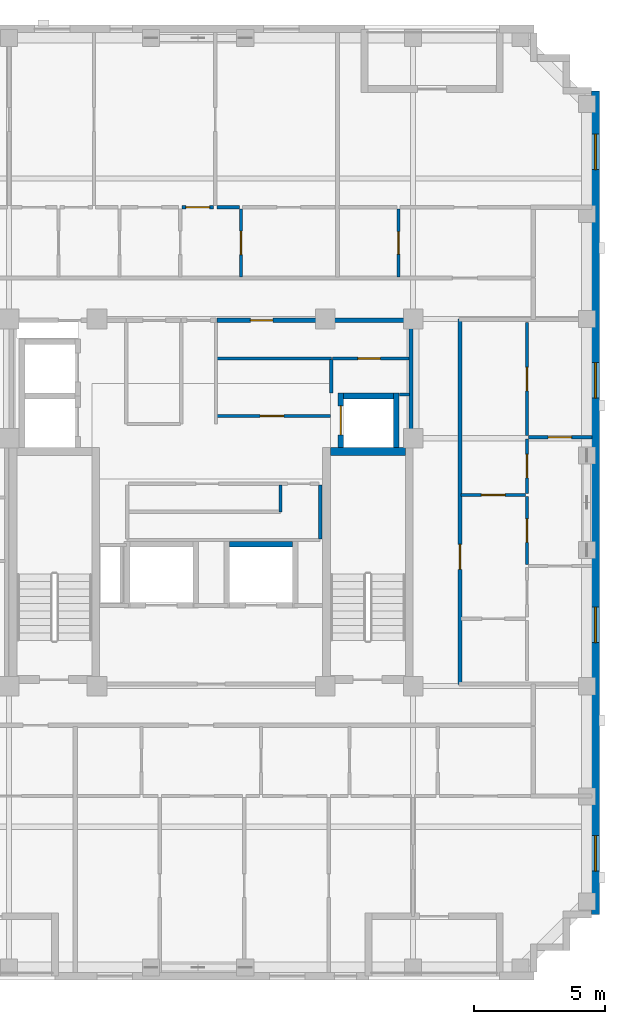
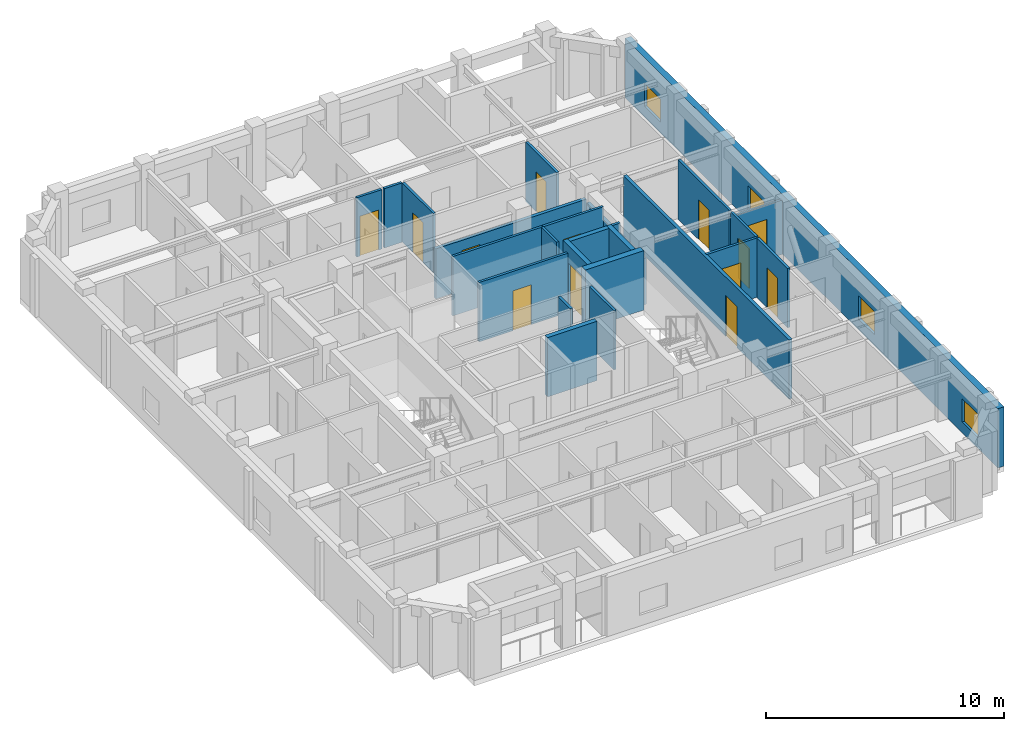
# One storey, part 6 of 11: 25 walls, 13 doors, 4 windows, 17 openings.
"""IFC4 building model written with IfcOpenShell, lengths in metres."""

from ifc_helpers import new_model, si_unit, derived_unit, direction, frame, frame_2d, origin, place, context, subcontext, project, spatial, rectangle, extrude, material, layer, layer_set, type_object, element, fill, save


model = new_model("IFC4")

# Units and contexts
model_context = context("Model", 3, precision=1e-05, world=origin(), true_north=direction((0.0, 1.0)))
body_context = subcontext(model_context, "Body", "Model", "MODEL_VIEW")
ifc_project = project(units=[si_unit("LENGTHUNIT", "METRE"), si_unit("AREAUNIT", "SQUARE_METRE"), si_unit("VOLUMEUNIT", "CUBIC_METRE"), si_unit("PLANEANGLEUNIT", "RADIAN"), si_unit("MASSUNIT", "GRAM", prefix="KILO"), derived_unit("THERMALTRANSMITTANCEUNIT", [(si_unit("MASSUNIT", "GRAM", prefix="KILO"), 1), (si_unit("TIMEUNIT", "SECOND"), -3), (si_unit("THERMODYNAMICTEMPERATUREUNIT", "KELVIN"), -1)])], contexts=[model_context])

# Site, building, storey
site_placement = place(None, origin())
site = spatial("IfcSite", under=ifc_project, at=site_placement, CompositionType="ELEMENT")
building_placement = place(site_placement, origin())
building = spatial("IfcBuilding", under=site, at=building_placement, Name="Korrvale Station Residences", CompositionType="ELEMENT")
storey_placement = place(building_placement, frame((0.0, 0.0, 258.10009765625)))
storey = spatial("IfcBuildingStorey", under=building, at=storey_placement, Name="L75", CompositionType="ELEMENT", Elevation=258.10009765625)

# Wall
ifc_material_1 = material(Name="Concrete C50/60", Category="concrete")
ifc_layer_1 = layer(ifc_material_1, 0.300048828125, Name="Concrete C50/60")
ifc_layer_set_1 = layer_set([ifc_layer_1], Name="Concrete C50/60")
wall_type_1 = type_object("IfcWallType", Name="WAL-CORE-300-C50", PredefinedType="SHEAR", material=ifc_layer_set_1)
wall_1_placement = place(storey_placement, frame((30.050048828125, 23.949951171875, 0.0), z_axis=(0.0, 0.0, 1.0), x_axis=(1.0, 0.0, 0.0)))
element("IfcWall", 1, at=wall_1_placement, inside=storey, type_object=wall_type_1, Name="L75 ST-2 Core Shear Wall North", PredefinedType="SHEAR", context=body_context, shape_type="SweptSolid", body=[
    extrude(rectangle(XDim=2.849853515625, YDim=0.300048828125, at=frame_2d((1.4248046875, 0.0))), origin(), (0.0, 0.0, 1.0), 3.0498046875),
])

# Wall, openings, windows
ifc_material_2 = material(Name="Precast concrete C45/55", Category="concrete")
ifc_layer_2 = layer(ifc_material_2, 0.300048828125, Name="Precast concrete C45/55")
ifc_layer_set_2 = layer_set([ifc_layer_2], Name="Precast concrete C45/55")
wall_type_2 = type_object("IfcWallType", Name="WAL-EXT-PC300", PredefinedType="SOLIDWALL", material=ifc_layer_set_2)
wall_2_placement = place(storey_placement, frame((40.14990234375, 37.699951171875, 0.0), z_axis=(0.0, 0.0, 1.0), x_axis=(0.0, -1.0, 0.0)))
wall_2 = element("IfcWall", 2, at=wall_2_placement, inside=storey, type_object=wall_type_2, Name="L75 East Exterior Precast Wall 1", PredefinedType="SOLIDWALL", context=body_context, shape_type="SweptSolid", body=[
    extrude(rectangle(XDim=31.39990234375, YDim=0.300048828125, at=frame_2d((15.699951171875, 0.0))), origin(), (0.0, 0.0, 1.0), 3.0498046875),
])
opening_1_placement = place(wall_2_placement, frame((28.39599609375, 0.0, 0.550048828125)))
opening_1 = element("IfcOpeningElement", 3, at=opening_1_placement, cuts=wall_2, Name="Opening W-10", PredefinedType="OPENING", context=body_context, shape_type="SweptSolid", body=[
    extrude(rectangle(XDim=1.35009765625, YDim=1.199951171875, at=frame_2d((0.675048828125, 0.60009765625))), frame((0.0, 0.16015625, 0.0), z_axis=(0.0, -1.0, 0.0), x_axis=(1.0, 0.0, 0.0)), (0.0, 0.0, 1.0), 0.320068359375),
])
opening_2_placement = place(wall_2_placement, frame((1.653076171875, 0.0, 0.550048828125)))
opening_2 = element("IfcOpeningElement", 4, at=opening_2_placement, cuts=wall_2, Name="Opening W-10", PredefinedType="OPENING", context=body_context, shape_type="SweptSolid", body=[
    extrude(rectangle(XDim=1.35009765625, YDim=1.199951171875, at=frame_2d((0.675048828125, 0.60009765625))), frame((0.0, 0.16015625, 0.0), z_axis=(0.0, -1.0, 0.0), x_axis=(1.0, 0.0, 0.0)), (0.0, 0.0, 1.0), 0.320068359375),
])
opening_3_placement = place(wall_2_placement, frame((19.68310546875, 0.0, 0.550048828125)))
opening_3 = element("IfcOpeningElement", 5, at=opening_3_placement, cuts=wall_2, Name="Opening W-10", PredefinedType="OPENING", context=body_context, shape_type="SweptSolid", body=[
    extrude(rectangle(XDim=1.35009765625, YDim=1.199951171875, at=frame_2d((0.675048828125, 0.60009765625))), frame((0.0, 0.16015625, 0.0), z_axis=(0.0, -1.0, 0.0), x_axis=(1.0, 0.0, 0.0)), (0.0, 0.0, 1.0), 0.320068359375),
])
opening_4_placement = place(wall_2_placement, frame((10.366943359375, 0.0, 0.550048828125)))
opening_4 = element("IfcOpeningElement", 6, at=opening_4_placement, cuts=wall_2, Name="Opening W-10", PredefinedType="OPENING", context=body_context, shape_type="SweptSolid", body=[
    extrude(rectangle(XDim=1.35009765625, YDim=1.199951171875, at=frame_2d((0.675048828125, 0.60009765625))), frame((0.0, 0.16015625, 0.0), z_axis=(0.0, -1.0, 0.0), x_axis=(1.0, 0.0, 0.0)), (0.0, 0.0, 1.0), 0.320068359375),
])
ifc_material_3 = material(Name="Thermally broken aluminium frame with triple low-e glazing", Category="aluminium")
window_type = type_object("IfcWindowType", Name="WIN-W10", PartitioningType="SINGLE_PANEL", PredefinedType="WINDOW", material=ifc_material_3)
window_1_placement = place(opening_1_placement, origin())
window_1 = element("IfcWindow", 7, at=window_1_placement, inside=storey, type_object=window_type, Name="L75 Punched Window 05", OverallHeight=1.199951171875, OverallWidth=1.35009765625, PartitioningType="SINGLE_PANEL", PredefinedType="WINDOW", context=body_context, shape_type="SweptSolid", body=[
    extrude(rectangle(XDim=1.35009765625, YDim=1.199951171875, at=frame_2d((0.675048828125, 0.60009765625))), frame((0.0, 0.030029296875, 0.0), z_axis=(0.0, -1.0, 0.0), x_axis=(1.0, 0.0, 0.0)), (0.0, 0.0, 1.0), 0.06005859375),
])
fill(opening_1, window_1)
window_2_placement = place(opening_2_placement, origin())
window_2 = element("IfcWindow", 8, at=window_2_placement, inside=storey, type_object=window_type, Name="L75 Punched Window 10", OverallHeight=1.199951171875, OverallWidth=1.35009765625, PartitioningType="SINGLE_PANEL", PredefinedType="WINDOW", context=body_context, shape_type="SweptSolid", body=[
    extrude(rectangle(XDim=1.35009765625, YDim=1.199951171875, at=frame_2d((0.675048828125, 0.60009765625))), frame((0.0, 0.030029296875, 0.0), z_axis=(0.0, -1.0, 0.0), x_axis=(1.0, 0.0, 0.0)), (0.0, 0.0, 1.0), 0.06005859375),
])
fill(opening_2, window_2)
window_3_placement = place(opening_3_placement, origin())
window_3 = element("IfcWindow", 9, at=window_3_placement, inside=storey, type_object=window_type, Name="L75 Punched Window 13", OverallHeight=1.199951171875, OverallWidth=1.35009765625, PartitioningType="SINGLE_PANEL", PredefinedType="WINDOW", context=body_context, shape_type="SweptSolid", body=[
    extrude(rectangle(XDim=1.35009765625, YDim=1.199951171875, at=frame_2d((0.675048828125, 0.60009765625))), frame((0.0, 0.030029296875, 0.0), z_axis=(0.0, -1.0, 0.0), x_axis=(1.0, 0.0, 0.0)), (0.0, 0.0, 1.0), 0.06005859375),
])
fill(opening_3, window_3)
window_4_placement = place(opening_4_placement, origin())
window_4 = element("IfcWindow", 10, at=window_4_placement, inside=storey, type_object=window_type, Name="L75 Punched Window 14", OverallHeight=1.199951171875, OverallWidth=1.35009765625, PartitioningType="SINGLE_PANEL", PredefinedType="WINDOW", context=body_context, shape_type="SweptSolid", body=[
    extrude(rectangle(XDim=1.35009765625, YDim=1.199951171875, at=frame_2d((0.675048828125, 0.60009765625))), frame((0.0, 0.030029296875, 0.0), z_axis=(0.0, -1.0, 0.0), x_axis=(1.0, 0.0, 0.0)), (0.0, 0.0, 1.0), 0.06005859375),
])
fill(opening_4, window_4)

# Walls
ifc_material_4 = material(Name="Acoustic steel-stud gypsum board partition", Category="steel")
ifc_layer_3 = layer(ifc_material_4, 0.1201171875, Name="Acoustic steel-stud gypsum board partition")
ifc_layer_set_3 = layer_set([ifc_layer_3], Name="Acoustic steel-stud gypsum board partition")
wall_type_3 = type_object("IfcWallType", Name="WAL-PART-125", PredefinedType="PARTITIONING", material=ifc_layer_set_3)
wall_3_placement = place(storey_placement, frame((30.080078125, 26.179931640625, 0.0), z_axis=(0.0, 0.0, 1.0), x_axis=(0.0, 1.0, 0.0)))
element("IfcWall", 11, at=wall_3_placement, inside=storey, type_object=wall_type_3, Name="L75 Core Partition CW-CS-W", PredefinedType="PARTITIONING", context=body_context, shape_type="SweptSolid", body=[
    extrude(rectangle(XDim=1.280029296875, YDim=0.1201171875, at=frame_2d((0.64013671875, 0.0))), origin(), (0.0, 0.0, 1.0), 3.0498046875),
])
wall_4_placement = place(storey_placement, frame((32.679931640625, 26.1201171875, 0.0), z_axis=(0.0, 0.0, 1.0), x_axis=(1.0, 0.0, 0.0)))
element("IfcWall", 12, at=wall_4_placement, inside=storey, type_object=wall_type_3, Name="L75 Core Partition CW-CS-S", PredefinedType="PARTITIONING", context=body_context, shape_type="SweptSolid", body=[
    extrude(rectangle(XDim=0.380126953125, YDim=0.1201171875, at=frame_2d((0.18994140625, 0.0))), origin(), (0.0, 0.0, 1.0), 3.0498046875),
])

# Wall, opening, door
wall_5_placement = place(storey_placement, frame((30.1201171875, 27.5, 0.0), z_axis=(0.0, 0.0, 1.0), x_axis=(1.0, 0.0, 0.0)))
wall_5 = element("IfcWall", 13, at=wall_5_placement, inside=storey, type_object=wall_type_3, Name="L75 Core Partition CW-CS-H", PredefinedType="PARTITIONING", context=body_context, shape_type="SweptSolid", body=[
    extrude(rectangle(XDim=2.919921875, YDim=0.1201171875, at=frame_2d((1.4599609375, 0.0))), origin(), (0.0, 0.0, 1.0), 3.0498046875),
])
opening_5_placement = place(wall_5_placement, frame((0.969970703125, 0.0, 0.0)))
opening_5 = element("IfcOpeningElement", 14, at=opening_5_placement, cuts=wall_5, Name="Opening DB-860", PredefinedType="OPENING", context=body_context, shape_type="SweptSolid", body=[
    extrude(rectangle(XDim=0.860107421875, YDim=2.050048828125, at=frame_2d((0.43017578125, 1.02490234375))), frame((0.0, 0.070068359375, 0.0), z_axis=(0.0, -1.0, 0.0), x_axis=(1.0, 0.0, 0.0)), (0.0, 0.0, 1.0), 0.14013671875),
])
ifc_material_5 = material(Name="Moisture-resistant solid-core bathroom door", Category="timber")
door_type_1 = type_object("IfcDoorType", Name="DR-BATH-860", OperationType="NOTDEFINED", PredefinedType="DOOR", material=ifc_material_5)
door_1_placement = place(opening_5_placement, origin())
door_1 = element("IfcDoor", 15, at=door_1_placement, inside=storey, type_object=door_type_1, Name="L75 Mail Sorting Inner Door", OperationType="SINGLE_SWING_RIGHT", OverallHeight=2.050048828125, OverallWidth=0.860107421875, PredefinedType="DOOR", context=body_context, shape_type="SweptSolid", body=[
    extrude(rectangle(XDim=0.860107421875, YDim=2.050048828125, at=frame_2d((0.43017578125, 1.02490234375))), frame((0.0, 0.02490234375, 0.0), z_axis=(0.0, -1.0, 0.0), x_axis=(1.0, 0.0, 0.0)), (0.0, 0.0, 1.0), 0.050048828125),
])
fill(opening_5, door_1)

# Wall
wall_6_placement = place(storey_placement, frame((25.719970703125, 27.5, 0.0), z_axis=(0.0, 0.0, 1.0), x_axis=(1.0, 0.0, 0.0)))
element("IfcWall", 16, at=wall_6_placement, inside=storey, type_object=wall_type_3, Name="L75 Core Partition CW-FPLE-H", PredefinedType="PARTITIONING", context=body_context, shape_type="SweptSolid", body=[
    extrude(rectangle(XDim=4.360107421875, YDim=0.1201171875, at=frame_2d((2.18017578125, 0.0))), origin(), (0.0, 0.0, 1.0), 3.0498046875),
])

# Wall, opening, door
wall_7_placement = place(storey_placement, frame((25.719970703125, 25.300048828125, 0.0), z_axis=(0.0, 0.0, 1.0), x_axis=(1.0, 0.0, 0.0)))
wall_7 = element("IfcWall", 17, at=wall_7_placement, inside=storey, type_object=wall_type_3, Name="L75 Core Partition CW-FPLE-S", PredefinedType="PARTITIONING", context=body_context, shape_type="SweptSolid", body=[
    extrude(rectangle(XDim=4.320068359375, YDim=0.1201171875, at=frame_2d((2.16015625, 0.0))), origin(), (0.0, 0.0, 1.0), 3.0498046875),
])
opening_6_placement = place(wall_7_placement, frame((1.64990234375, 0.0, 0.0)))
opening_6 = element("IfcOpeningElement", 18, at=opening_6_placement, cuts=wall_7, Name="Opening DI-900", PredefinedType="OPENING", context=body_context, shape_type="SweptSolid", body=[
    extrude(rectangle(XDim=0.89990234375, YDim=2.050048828125, at=frame_2d((0.449951171875, 1.02490234375))), frame((0.0, 0.070068359375, 0.0), z_axis=(0.0, -1.0, 0.0), x_axis=(1.0, 0.0, 0.0)), (0.0, 0.0, 1.0), 0.14013671875),
])
ifc_material_6 = material(Name="Painted solid-core timber interior room door", Category="wood")
door_type_2 = type_object("IfcDoorType", Name="DR-INT-900", OperationType="NOTDEFINED", PredefinedType="DOOR", material=ifc_material_6)
door_2_placement = place(opening_6_placement, origin())
door_2 = element("IfcDoor", 19, at=door_2_placement, inside=storey, type_object=door_type_2, Name="L75 Housekeeping Linen Door", OperationType="SINGLE_SWING_RIGHT", OverallHeight=2.050048828125, OverallWidth=0.89990234375, PredefinedType="DOOR", context=body_context, shape_type="SweptSolid", body=[
    extrude(rectangle(XDim=0.89990234375, YDim=2.050048828125, at=frame_2d((0.449951171875, 1.02490234375))), frame((0.0, 0.02490234375, 0.0), z_axis=(0.0, -1.0, 0.0), x_axis=(1.0, 0.0, 0.0)), (0.0, 0.0, 1.0), 0.050048828125),
])
fill(opening_6, door_2)

# Walls
wall_8_placement = place(storey_placement, frame((29.659912109375, 20.6201171875, 0.0), z_axis=(0.0, 0.0, 1.0), x_axis=(0.0, 1.0, 0.0)))
element("IfcWall", 20, at=wall_8_placement, inside=storey, type_object=wall_type_3, Name="L75 Core Partition CW-FPM-E", PredefinedType="PARTITIONING", context=body_context, shape_type="SweptSolid", body=[
    extrude(rectangle(XDim=2.059814453125, YDim=0.1201171875, at=frame_2d((1.02978515625, 0.0))), origin(), (0.0, 0.0, 1.0), 3.0498046875),
])
wall_9_placement = place(storey_placement, frame((28.139892578125, 21.64990234375, 0.0), z_axis=(0.0, 0.0, 1.0), x_axis=(0.0, 1.0, 0.0)))
element("IfcWall", 21, at=wall_9_placement, inside=storey, type_object=wall_type_3, Name="L75 Core Partition CW-FPM-V1", PredefinedType="PARTITIONING", context=body_context, shape_type="SweptSolid", body=[
    extrude(rectangle(XDim=1.030029296875, YDim=0.1201171875, at=frame_2d((0.51513671875, 0.0))), origin(), (0.0, 0.0, 1.0), 3.0498046875),
])

# Wall, opening, door
wall_10_placement = place(storey_placement, frame((26.639892578125, 30.60009765625, 0.0), z_axis=(0.0, 0.0, 1.0), x_axis=(0.0, 1.0, 0.0)))
wall_10 = element("IfcWall", 22, at=wall_10_placement, inside=storey, type_object=wall_type_3, Name="L75 Suite Partition U03-V45", PredefinedType="PARTITIONING", context=body_context, shape_type="SweptSolid", body=[
    extrude(rectangle(XDim=2.599853515625, YDim=0.1201171875, at=frame_2d((1.2998046875, 0.0))), origin(), (0.0, 0.0, 1.0), 3.0498046875),
])
opening_7_placement = place(wall_10_placement, frame((0.85009765625, 0.0, 0.0)))
opening_7 = element("IfcOpeningElement", 23, at=opening_7_placement, cuts=wall_10, Name="Opening DI-900", PredefinedType="OPENING", context=body_context, shape_type="SweptSolid", body=[
    extrude(rectangle(XDim=0.89990234375, YDim=2.050048828125, at=frame_2d((0.449951171875, 1.02490234375))), frame((0.0, 0.070068359375, 0.0), z_axis=(0.0, -1.0, 0.0), x_axis=(1.0, 0.0, 0.0)), (0.0, 0.0, 1.0), 0.14013671875),
])
door_3_placement = place(opening_7_placement, origin())
door_3 = element("IfcDoor", 24, at=door_3_placement, inside=storey, type_object=door_type_2, Name="L75 Apartment 2BR L75-U03 Wardrobe Storage Room Door", OperationType="SINGLE_SWING_RIGHT", OverallHeight=2.050048828125, OverallWidth=0.89990234375, PredefinedType="DOOR", context=body_context, shape_type="SweptSolid", body=[
    extrude(rectangle(XDim=0.89990234375, YDim=2.050048828125, at=frame_2d((0.449951171875, 1.02490234375))), frame((0.0, 0.02490234375, 0.0), z_axis=(0.0, -1.0, 0.0), x_axis=(1.0, 0.0, 0.0)), (0.0, 0.0, 1.0), 0.050048828125),
])
fill(opening_7, door_3)

wall_11_placement = place(storey_placement, frame((24.3798828125, 33.260009765625, 0.0), z_axis=(0.0, 0.0, 1.0), x_axis=(1.0, 0.0, 0.0)))
wall_11 = element("IfcWall", 25, at=wall_11_placement, inside=storey, type_object=wall_type_3, Name="L75 Suite Partition U03-H48", PredefinedType="PARTITIONING", context=body_context, shape_type="SweptSolid", body=[
    extrude(rectangle(XDim=1.217041015625, YDim=0.1201171875, at=frame_2d((0.6083984375, 0.0))), origin(), (0.0, 0.0, 1.0), 3.0498046875),
])
opening_8_placement = place(wall_11_placement, frame((0.157958984375, 0.0, 0.0)))
opening_8 = element("IfcOpeningElement", 26, at=opening_8_placement, cuts=wall_11, Name="Opening DI-900", PredefinedType="OPENING", context=body_context, shape_type="SweptSolid", body=[
    extrude(rectangle(XDim=0.89990234375, YDim=2.050048828125, at=frame_2d((0.449951171875, 1.02490234375))), frame((0.0, 0.070068359375, 0.0), z_axis=(0.0, -1.0, 0.0), x_axis=(1.0, 0.0, 0.0)), (0.0, 0.0, 1.0), 0.14013671875),
])
door_4_placement = place(opening_8_placement, origin())
door_4 = element("IfcDoor", 27, at=door_4_placement, inside=storey, type_object=door_type_2, Name="L75 Apartment 2BR L75-U03 Wardrobe Storage Room Door", OperationType="SINGLE_SWING_LEFT", OverallHeight=2.050048828125, OverallWidth=0.89990234375, PredefinedType="DOOR", context=body_context, shape_type="SweptSolid", body=[
    extrude(rectangle(XDim=0.89990234375, YDim=2.050048828125, at=frame_2d((0.449951171875, 1.02490234375))), frame((0.0, 0.02490234375, 0.0), z_axis=(0.0, -1.0, 0.0), x_axis=(1.0, 0.0, 0.0)), (0.0, 0.0, 1.0), 0.050048828125),
])
fill(opening_8, door_4)

# Wall
wall_12_placement = place(storey_placement, frame((25.717041015625, 33.260009765625, 0.0), z_axis=(0.0, 0.0, 1.0), x_axis=(1.0, 0.0, 0.0)))
element("IfcWall", 28, at=wall_12_placement, inside=storey, type_object=wall_type_3, Name="L75 Suite Partition U03-H49", PredefinedType="PARTITIONING", context=body_context, shape_type="SweptSolid", body=[
    extrude(rectangle(XDim=0.863037109375, YDim=0.1201171875, at=frame_2d((0.431640625, 0.0))), origin(), (0.0, 0.0, 1.0), 3.0498046875),
])

# Wall, opening, door
wall_13_placement = place(storey_placement, frame((32.639892578125, 30.60009765625, 0.0), z_axis=(0.0, 0.0, 1.0), x_axis=(0.0, 1.0, 0.0)))
wall_13 = element("IfcWall", 29, at=wall_13_placement, inside=storey, type_object=wall_type_3, Name="L75 Suite Partition U04-V01", PredefinedType="PARTITIONING", context=body_context, shape_type="SweptSolid", body=[
    extrude(rectangle(XDim=2.599853515625, YDim=0.1201171875, at=frame_2d((1.2998046875, 0.0))), origin(), (0.0, 0.0, 1.0), 3.0498046875),
])
opening_9_placement = place(wall_13_placement, frame((0.8701171875, 0.0, 0.0)))
opening_9 = element("IfcOpeningElement", 30, at=opening_9_placement, cuts=wall_13, Name="Opening DB-860", PredefinedType="OPENING", context=body_context, shape_type="SweptSolid", body=[
    extrude(rectangle(XDim=0.860107421875, YDim=2.050048828125, at=frame_2d((0.43017578125, 1.02490234375))), frame((0.0, 0.070068359375, 0.0), z_axis=(0.0, -1.0, 0.0), x_axis=(1.0, 0.0, 0.0)), (0.0, 0.0, 1.0), 0.14013671875),
])
door_5_placement = place(opening_9_placement, origin())
door_5 = element("IfcDoor", 31, at=door_5_placement, inside=storey, type_object=door_type_1, Name="L75 Studio Apartment L75-U04 Bathroom Door", OperationType="SINGLE_SWING_RIGHT", OverallHeight=2.050048828125, OverallWidth=0.860107421875, PredefinedType="DOOR", context=body_context, shape_type="SweptSolid", body=[
    extrude(rectangle(XDim=0.860107421875, YDim=2.050048828125, at=frame_2d((0.43017578125, 1.02490234375))), frame((0.0, 0.02490234375, 0.0), z_axis=(0.0, -1.0, 0.0), x_axis=(1.0, 0.0, 0.0)), (0.0, 0.0, 1.0), 0.050048828125),
])
fill(opening_9, door_5)

wall_14_placement = place(storey_placement, frame((35.030029296875, 22.2900390625, 0.0), z_axis=(0.0, 0.0, 1.0), x_axis=(1.0, 0.0, 0.0)))
wall_14 = element("IfcWall", 32, at=wall_14_placement, inside=storey, type_object=wall_type_3, Name="L75 Suite Partition U06-H02", PredefinedType="PARTITIONING", context=body_context, shape_type="SweptSolid", body=[
    extrude(rectangle(XDim=2.449951171875, YDim=0.1201171875, at=frame_2d((1.22509765625, 0.0))), origin(), (0.0, 0.0, 1.0), 3.0498046875),
])
opening_10_placement = place(wall_14_placement, frame((0.77490234375, 0.0, 0.0)))
opening_10 = element("IfcOpeningElement", 33, at=opening_10_placement, cuts=wall_14, Name="Opening DI-900", PredefinedType="OPENING", context=body_context, shape_type="SweptSolid", body=[
    extrude(rectangle(XDim=0.89990234375, YDim=2.050048828125, at=frame_2d((0.449951171875, 1.02490234375))), frame((0.0, 0.070068359375, 0.0), z_axis=(0.0, -1.0, 0.0), x_axis=(1.0, 0.0, 0.0)), (0.0, 0.0, 1.0), 0.14013671875),
])
door_6_placement = place(opening_10_placement, origin())
door_6 = element("IfcDoor", 34, at=door_6_placement, inside=storey, type_object=door_type_2, Name="L75 Apartment 2BR L75-U06 Wardrobe Storage Room Door", OperationType="SINGLE_SWING_LEFT", OverallHeight=2.050048828125, OverallWidth=0.89990234375, PredefinedType="DOOR", context=body_context, shape_type="SweptSolid", body=[
    extrude(rectangle(XDim=0.89990234375, YDim=2.050048828125, at=frame_2d((0.449951171875, 1.02490234375))), frame((0.0, 0.02490234375, 0.0), z_axis=(0.0, -1.0, 0.0), x_axis=(1.0, 0.0, 0.0)), (0.0, 0.0, 1.0), 0.050048828125),
])
fill(opening_10, door_6)

wall_15_placement = place(storey_placement, frame((37.5400390625, 22.35009765625, 0.0), z_axis=(0.0, 0.0, 1.0), x_axis=(0.0, 1.0, 0.0)))
wall_15 = element("IfcWall", 35, at=wall_15_placement, inside=storey, type_object=wall_type_3, Name="L75 Suite Partition U06-V04", PredefinedType="PARTITIONING", context=body_context, shape_type="SweptSolid", body=[
    extrude(rectangle(XDim=2.081787109375, YDim=0.1201171875, at=frame_2d((1.041015625, 0.0))), origin(), (0.0, 0.0, 1.0), 3.0498046875),
])
opening_11_placement = place(wall_15_placement, frame((0.591064453125, 0.0, 0.0)))
opening_11 = element("IfcOpeningElement", 36, at=opening_11_placement, cuts=wall_15, Name="Opening DI-900", PredefinedType="OPENING", context=body_context, shape_type="SweptSolid", body=[
    extrude(rectangle(XDim=0.89990234375, YDim=2.050048828125, at=frame_2d((0.449951171875, 1.02490234375))), frame((0.0, 0.070068359375, 0.0), z_axis=(0.0, -1.0, 0.0), x_axis=(1.0, 0.0, 0.0)), (0.0, 0.0, 1.0), 0.14013671875),
])
door_7_placement = place(opening_11_placement, origin())
door_7 = element("IfcDoor", 37, at=door_7_placement, inside=storey, type_object=door_type_2, Name="L75 Apartment 2BR L75-U06 Wardrobe Storage Room Door", OperationType="SINGLE_SWING_RIGHT", OverallHeight=2.050048828125, OverallWidth=0.89990234375, PredefinedType="DOOR", context=body_context, shape_type="SweptSolid", body=[
    extrude(rectangle(XDim=0.89990234375, YDim=2.050048828125, at=frame_2d((0.449951171875, 1.02490234375))), frame((0.0, 0.02490234375, 0.0), z_axis=(0.0, -1.0, 0.0), x_axis=(1.0, 0.0, 0.0)), (0.0, 0.0, 1.0), 0.050048828125),
])
fill(opening_11, door_7)

wall_16_placement = place(storey_placement, frame((37.5400390625, 24.552001953125, 0.0), z_axis=(0.0, 0.0, 1.0), x_axis=(0.0, 1.0, 0.0)))
wall_16 = element("IfcWall", 38, at=wall_16_placement, inside=storey, type_object=wall_type_3, Name="L75 Suite Partition U06-V05", PredefinedType="PARTITIONING", context=body_context, shape_type="SweptSolid", body=[
    extrude(rectangle(XDim=4.30810546875, YDim=0.1201171875, at=frame_2d((2.154052734375, 0.0))), origin(), (0.0, 0.0, 1.0), 3.0498046875),
])
opening_12_placement = place(wall_16_placement, frame((1.7041015625, 0.0, 0.0)))
opening_12 = element("IfcOpeningElement", 39, at=opening_12_placement, cuts=wall_16, Name="Opening DI-900", PredefinedType="OPENING", context=body_context, shape_type="SweptSolid", body=[
    extrude(rectangle(XDim=0.89990234375, YDim=2.050048828125, at=frame_2d((0.449951171875, 1.02490234375))), frame((0.0, 0.070068359375, 0.0), z_axis=(0.0, -1.0, 0.0), x_axis=(1.0, 0.0, 0.0)), (0.0, 0.0, 1.0), 0.14013671875),
])
door_8_placement = place(opening_12_placement, origin())
door_8 = element("IfcDoor", 40, at=door_8_placement, inside=storey, type_object=door_type_2, Name="L75 Apartment 2BR L75-U06 Wardrobe Storage Room Door", OperationType="SINGLE_SWING_LEFT", OverallHeight=2.050048828125, OverallWidth=0.89990234375, PredefinedType="DOOR", context=body_context, shape_type="SweptSolid", body=[
    extrude(rectangle(XDim=0.89990234375, YDim=2.050048828125, at=frame_2d((0.449951171875, 1.02490234375))), frame((0.0, 0.02490234375, 0.0), z_axis=(0.0, -1.0, 0.0), x_axis=(1.0, 0.0, 0.0)), (0.0, 0.0, 1.0), 0.050048828125),
])
fill(opening_12, door_8)

wall_17_placement = place(storey_placement, frame((37.5400390625, 19.637939453125, 0.0), z_axis=(0.0, 0.0, 1.0), x_axis=(0.0, 1.0, 0.0)))
wall_17 = element("IfcWall", 41, at=wall_17_placement, inside=storey, type_object=wall_type_3, Name="L75 Suite Partition U06-V24", PredefinedType="PARTITIONING", context=body_context, shape_type="SweptSolid", body=[
    extrude(rectangle(XDim=2.592041015625, YDim=0.1201171875, at=frame_2d((1.2958984375, 0.0))), origin(), (0.0, 0.0, 1.0), 3.0498046875),
])
opening_13_placement = place(wall_17_placement, frame((0.845947265625, 0.0, 0.0)))
opening_13 = element("IfcOpeningElement", 42, at=opening_13_placement, cuts=wall_17, Name="Opening DI-900", PredefinedType="OPENING", context=body_context, shape_type="SweptSolid", body=[
    extrude(rectangle(XDim=0.89990234375, YDim=2.050048828125, at=frame_2d((0.449951171875, 1.02490234375))), frame((0.0, 0.070068359375, 0.0), z_axis=(0.0, -1.0, 0.0), x_axis=(1.0, 0.0, 0.0)), (0.0, 0.0, 1.0), 0.14013671875),
])
door_9_placement = place(opening_13_placement, origin())
door_9 = element("IfcDoor", 43, at=door_9_placement, inside=storey, type_object=door_type_2, Name="L75 Apartment 2BR L75-U06 Kitchen Door", OperationType="SINGLE_SWING_RIGHT", OverallHeight=2.050048828125, OverallWidth=0.89990234375, PredefinedType="DOOR", context=body_context, shape_type="SweptSolid", body=[
    extrude(rectangle(XDim=0.89990234375, YDim=2.050048828125, at=frame_2d((0.449951171875, 1.02490234375))), frame((0.0, 0.02490234375, 0.0), z_axis=(0.0, -1.0, 0.0), x_axis=(1.0, 0.0, 0.0)), (0.0, 0.0, 1.0), 0.050048828125),
])
fill(opening_13, door_9)

wall_18_placement = place(storey_placement, frame((37.60009765625, 24.491943359375, 0.0), z_axis=(0.0, 0.0, 1.0), x_axis=(1.0, 0.0, 0.0)))
wall_18 = element("IfcWall", 44, at=wall_18_placement, inside=storey, type_object=wall_type_3, Name="L75 Suite Partition U06-H45", PredefinedType="PARTITIONING", context=body_context, shape_type="SweptSolid", body=[
    extrude(rectangle(XDim=2.419921875, YDim=0.1201171875, at=frame_2d((1.2099609375, 0.0))), origin(), (0.0, 0.0, 1.0), 2.787841796875),
])
opening_14_placement = place(wall_18_placement, frame((0.7451171875, 0.0, 0.0)))
opening_14 = element("IfcOpeningElement", 45, at=opening_14_placement, cuts=wall_18, Name="Opening DI-900", PredefinedType="OPENING", context=body_context, shape_type="SweptSolid", body=[
    extrude(rectangle(XDim=0.89990234375, YDim=2.050048828125, at=frame_2d((0.449951171875, 1.02490234375))), frame((0.0, 0.070068359375, 0.0), z_axis=(0.0, -1.0, 0.0), x_axis=(1.0, 0.0, 0.0)), (0.0, 0.0, 1.0), 0.14013671875),
])
door_10_placement = place(opening_14_placement, origin())
door_10 = element("IfcDoor", 46, at=door_10_placement, inside=storey, type_object=door_type_2, Name="L75 Apartment 2BR L75-U06 Living and Dining Room Door", OperationType="SINGLE_SWING_RIGHT", OverallHeight=2.050048828125, OverallWidth=0.89990234375, PredefinedType="DOOR", context=body_context, shape_type="SweptSolid", body=[
    extrude(rectangle(XDim=0.89990234375, YDim=2.050048828125, at=frame_2d((0.449951171875, 1.02490234375))), frame((0.0, 0.02490234375, 0.0), z_axis=(0.0, -1.0, 0.0), x_axis=(1.0, 0.0, 0.0)), (0.0, 0.0, 1.0), 0.050048828125),
])
fill(opening_14, door_10)

# Wall
ifc_material_7 = material(Name="Fire-rated twin-stud gypsum and mineral wool shaftwall assembly", Category="gypsum")
ifc_layer_4 = layer(ifc_material_7, 0.159912109375, Name="Fire-rated twin-stud gypsum and mineral wool shaftwall assembly")
ifc_layer_set_4 = layer_set([ifc_layer_4], Name="Fire-rated twin-stud gypsum and mineral wool shaftwall assembly")
wall_type_4 = type_object("IfcWallType", Name="WAL-PART-200", PredefinedType="PARTITIONING", material=ifc_layer_set_4)
wall_19_placement = place(storey_placement, frame((33.1201171875, 24.1201171875, 0.0), z_axis=(0.0, 0.0, 1.0), x_axis=(0.0, 1.0, 0.0)))
element("IfcWall", 47, at=wall_19_placement, inside=storey, type_object=wall_type_4, Name="L75 Core Partition CW-E-N", PredefinedType="PARTITIONING", context=body_context, shape_type="SweptSolid", body=[
    extrude(rectangle(XDim=4.759765625, YDim=0.159912109375, at=frame_2d((2.3798828125, 0.0))), origin(), (0.0, 0.0, 1.0), 2.385009765625),
])

# Wall, opening, door
wall_20_placement = place(storey_placement, frame((25.719970703125, 28.949951171875, 0.0), z_axis=(0.0, 0.0, 1.0), x_axis=(1.0, 0.0, 0.0)))
wall_20 = element("IfcWall", 48, at=wall_20_placement, inside=storey, type_object=wall_type_4, Name="L75 Core Partition CW-FPLE-N", PredefinedType="PARTITIONING", context=body_context, shape_type="SweptSolid", body=[
    extrude(rectangle(XDim=7.320068359375, YDim=0.159912109375, at=frame_2d((3.66015625, 0.0))), origin(), (0.0, 0.0, 1.0), 2.577880859375),
])
opening_15_placement = place(wall_20_placement, frame((1.27001953125, 0.0, 0.0)))
opening_15 = element("IfcOpeningElement", 49, at=opening_15_placement, cuts=wall_20, Name="Opening DB-860", PredefinedType="OPENING", context=body_context, shape_type="SweptSolid", body=[
    extrude(rectangle(XDim=0.860107421875, YDim=2.050048828125, at=frame_2d((0.43017578125, 1.02490234375))), frame((0.0, 0.08984375, 0.0), z_axis=(0.0, -1.0, 0.0), x_axis=(1.0, 0.0, 0.0)), (0.0, 0.0, 1.0), 0.179931640625),
])
door_11_placement = place(opening_15_placement, origin())
door_11 = element("IfcDoor", 50, at=door_11_placement, inside=storey, type_object=door_type_1, Name="L75 Luggage Pantry Door", OperationType="SINGLE_SWING_LEFT", OverallHeight=2.050048828125, OverallWidth=0.860107421875, PredefinedType="DOOR", context=body_context, shape_type="SweptSolid", body=[
    extrude(rectangle(XDim=0.860107421875, YDim=2.050048828125, at=frame_2d((0.43017578125, 1.02490234375))), frame((0.0, 0.02490234375, 0.0), z_axis=(0.0, -1.0, 0.0), x_axis=(1.0, 0.0, 0.0)), (0.0, 0.0, 1.0), 0.050048828125),
])
fill(opening_15, door_11)

wall_21_placement = place(storey_placement, frame((34.989990234375, 15.070068359375, 0.0), z_axis=(0.0, 0.0, 1.0), x_axis=(0.0, 1.0, 0.0)))
wall_21 = element("IfcWall", 51, at=wall_21_placement, inside=storey, type_object=wall_type_4, Name="L75 Rated Corridor Wall E", PredefinedType="PARTITIONING", context=body_context, shape_type="SweptSolid", body=[
    extrude(rectangle(XDim=13.929931640625, YDim=0.159912109375, at=frame_2d((6.96484375, 0.0))), origin(), (0.0, 0.0, 1.0), 3.0498046875),
])
opening_16_placement = place(wall_21_placement, frame((4.385009765625, 0.0, 0.0)))
opening_16 = element("IfcOpeningElement", 52, at=opening_16_placement, cuts=wall_21, Name="Opening UD-950", PredefinedType="OPENING", context=body_context, shape_type="SweptSolid", body=[
    extrude(rectangle(XDim=0.949951171875, YDim=2.10009765625, at=frame_2d((0.47509765625, 1.050048828125))), frame((0.0, 0.08984375, 0.0), z_axis=(0.0, -1.0, 0.0), x_axis=(1.0, 0.0, 0.0)), (0.0, 0.0, 1.0), 0.179931640625),
])
ifc_material_8 = material(Name="Solid-core acoustic oak apartment entrance door", Category="timber")
door_type_3 = type_object("IfcDoorType", Name="DR-UNIT-950", OperationType="NOTDEFINED", PredefinedType="DOOR", material=ifc_material_8)
door_12_placement = place(opening_16_placement, origin())
door_12 = element("IfcDoor", 53, at=door_12_placement, inside=storey, type_object=door_type_3, Name="L75 Apartment L75-U06 Entrance Door", OperationType="SINGLE_SWING_LEFT", OverallHeight=2.10009765625, OverallWidth=0.949951171875, PredefinedType="DOOR", context=body_context, shape_type="SweptSolid", body=[
    extrude(rectangle(XDim=0.949951171875, YDim=2.10009765625, at=frame_2d((0.47509765625, 1.050048828125))), frame((0.0, 0.02490234375, 0.0), z_axis=(0.0, -1.0, 0.0), x_axis=(1.0, 0.0, 0.0)), (0.0, 0.0, 1.0), 0.050048828125),
])
fill(opening_16, door_12)

# Wall
ifc_layer_5 = layer(ifc_material_1, 0.219970703125, Name="Concrete C50/60")
ifc_layer_set_5 = layer_set([ifc_layer_5], Name="Concrete C50/60")
wall_type_5 = type_object("IfcWallType", Name="WAL-SHAFT-220-C50", PredefinedType="SHEAR", material=ifc_layer_set_5)
wall_22_placement = place(storey_placement, frame((30.550048828125, 26.06005859375, 0.0), z_axis=(0.0, 0.0, 1.0), x_axis=(1.0, 0.0, 0.0)))
element("IfcWall", 54, at=wall_22_placement, inside=storey, type_object=wall_type_5, Name="L75 Elevator PH-3 Hoistway Wall North", PredefinedType="SHEAR", context=body_context, shape_type="SweptSolid", body=[
    extrude(rectangle(XDim=1.89990234375, YDim=0.219970703125, at=frame_2d((0.949951171875, 0.0))), origin(), (0.0, 0.0, 1.0), 3.0498046875),
])

# Wall, opening, door
wall_23_placement = place(storey_placement, frame((30.43994140625, 24.10009765625, 0.0), z_axis=(0.0, 0.0, 1.0), x_axis=(0.0, 1.0, 0.0)))
wall_23 = element("IfcWall", 55, at=wall_23_placement, inside=storey, type_object=wall_type_5, Name="L75 Elevator PH-3 Hoistway Wall West", PredefinedType="SHEAR", context=body_context, shape_type="SweptSolid", body=[
    extrude(rectangle(XDim=2.06982421875, YDim=0.219970703125, at=frame_2d((1.034912109375, 0.0))), origin(), (0.0, 0.0, 1.0), 3.0498046875),
])
opening_17_placement = place(wall_23_placement, frame((0.485107421875, 0.0, 0.0)))
opening_17 = element("IfcOpeningElement", 56, at=opening_17_placement, cuts=wall_23, Name="Opening LD-1100", PredefinedType="OPENING", context=body_context, shape_type="SweptSolid", body=[
    extrude(rectangle(XDim=1.10009765625, YDim=2.14990234375, at=frame_2d((0.550048828125, 1.074951171875))), frame((0.0, 0.1201171875, 0.0), z_axis=(0.0, -1.0, 0.0), x_axis=(1.0, 0.0, 0.0)), (0.0, 0.0, 1.0), 0.239990234375),
])
ifc_material_9 = material(Name="Brushed stainless-steel elevator landing sliding door", Category="steel")
door_type_4 = type_object("IfcDoorType", Name="DR-LIFT-1100", OperationType="SLIDING_TO_LEFT", PredefinedType="DOOR", material=ifc_material_9)
door_13_placement = place(opening_17_placement, origin())
door_13 = element("IfcDoor", 57, at=door_13_placement, inside=storey, type_object=door_type_4, Name="L75 Elevator PH-3 Sliding Landing Door", OperationType="SLIDING_TO_LEFT", OverallHeight=2.14990234375, OverallWidth=1.10009765625, PredefinedType="DOOR", context=body_context, shape_type="SweptSolid", body=[
    extrude(rectangle(XDim=1.10009765625, YDim=2.14990234375, at=frame_2d((0.550048828125, 1.074951171875))), frame((0.0, 0.02490234375, 0.0), z_axis=(0.0, -1.0, 0.0), x_axis=(1.0, 0.0, 0.0)), (0.0, 0.0, 1.0), 0.050048828125),
])
fill(opening_17, door_13)

# Walls
wall_24_placement = place(storey_placement, frame((32.56005859375, 24.10009765625, 0.0), z_axis=(0.0, 0.0, 1.0), x_axis=(0.0, 1.0, 0.0)))
element("IfcWall", 58, at=wall_24_placement, inside=storey, type_object=wall_type_5, Name="L75 Elevator PH-3 Hoistway Wall East", PredefinedType="SHEAR", context=body_context, shape_type="SweptSolid", body=[
    extrude(rectangle(XDim=2.06982421875, YDim=0.219970703125, at=frame_2d((1.034912109375, 0.0))), origin(), (0.0, 0.0, 1.0), 3.0498046875),
])
wall_25_placement = place(storey_placement, frame((26.199951171875, 20.409912109375, 0.0), z_axis=(0.0, 0.0, 1.0), x_axis=(1.0, 0.0, 0.0)))
element("IfcWall", 59, at=wall_25_placement, inside=storey, type_object=wall_type_5, Name="L75 Elevator FFL-2 Hoistway Wall North", PredefinedType="SHEAR", context=body_context, shape_type="SweptSolid", body=[
    extrude(rectangle(XDim=2.400146484375, YDim=0.219970703125, at=frame_2d((1.2001953125, 0.0))), origin(), (0.0, 0.0, 1.0), 3.0498046875),
])

save(model, "model.ifc")
